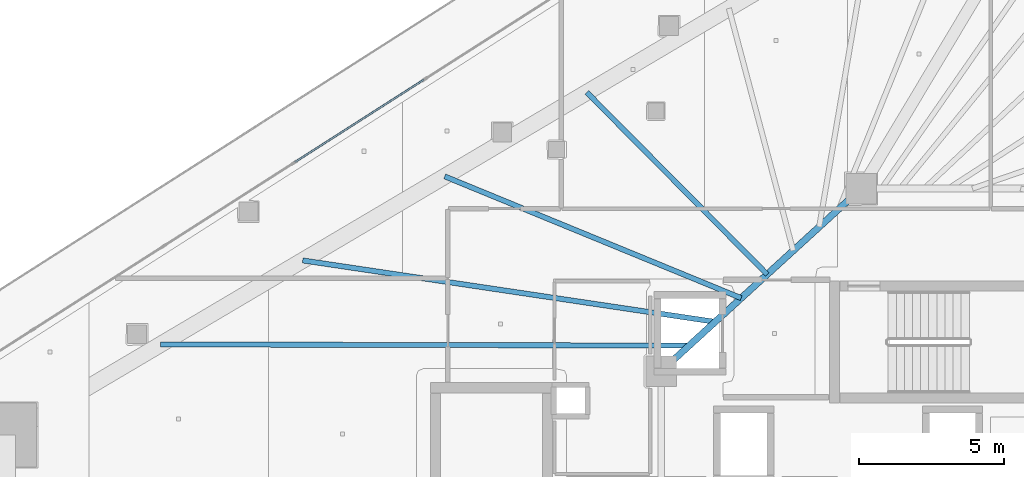
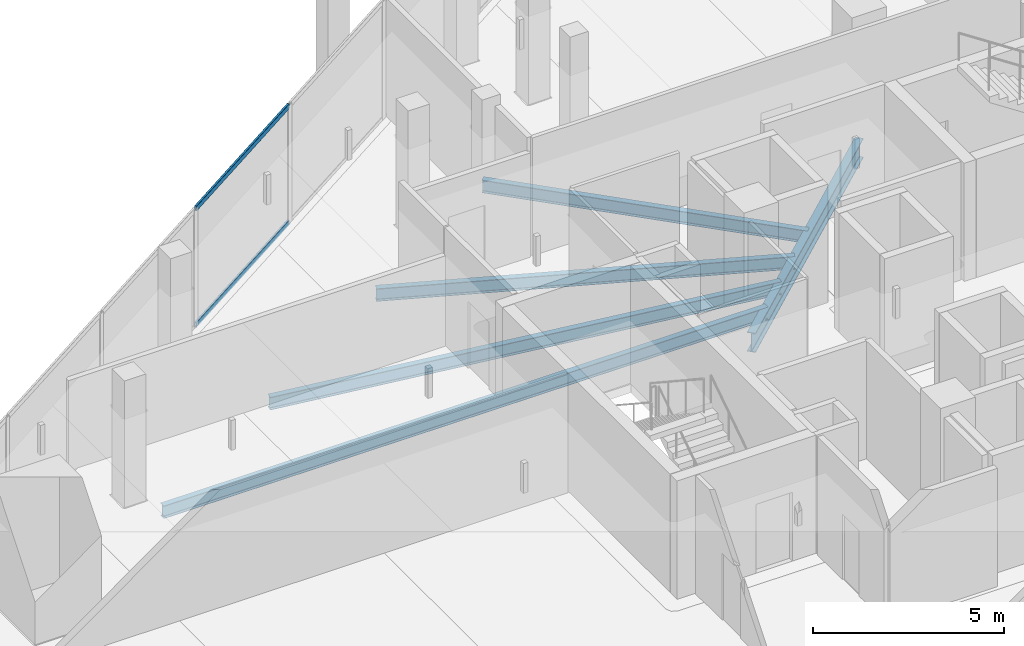
# One storey, part 15 of 39: 5 beams, 2 members, 1 element without a shape of its own.
"""IFC4 building model written with IfcOpenShell, lengths in metres."""

from ifc_helpers import new_model, si_unit, direction, frame, origin, origin_2d, place, context, subcontext, project, spatial, hollow_rectangle, i_section, extrude, material, layer, layer_set, material_profile, profile_set, type_object, element, aggregate, save


model = new_model("IFC4")

# Units and contexts
model_context = context("Model", 3, precision=1e-05, world=origin(), true_north=direction((0.0, 1.0)))
body_context = subcontext(model_context, "Body", "Model", "MODEL_VIEW")
ifc_project = project(units=[si_unit("LENGTHUNIT", "METRE"), si_unit("AREAUNIT", "SQUARE_METRE"), si_unit("VOLUMEUNIT", "CUBIC_METRE"), si_unit("PLANEANGLEUNIT", "RADIAN"), si_unit("MASSUNIT", "GRAM", prefix="KILO")], contexts=[model_context])

# Site, building, storey
site_placement = place(None, origin())
site = spatial("IfcSite", under=ifc_project, at=site_placement, CompositionType="ELEMENT")
building_placement = place(site_placement, origin())
building = spatial("IfcBuilding", under=site, at=building_placement, Name="Qorvath Tower", CompositionType="ELEMENT")
storey_placement = place(building_placement, frame((0.0, 0.0, 154.35009765625)))
storey = spatial("IfcBuildingStorey", under=building, at=storey_placement, Name="L35", CompositionType="ELEMENT", Elevation=154.35009765625)

# Beams
ifc_material_1 = material(Name="Steel ASTM A992 Grade 50", Category="steel")
ifc_material_profile_1 = material_profile(ifc_material_1, i_section(OverallWidth=0.22998046875, OverallDepth=0.616943359375, WebThickness=0.01318359375, FlangeThickness=0.022216796875, FilletRadius=0.014892578125, at=origin_2d()), Name="W24x94")
ifc_profile_set_1 = profile_set([ifc_material_profile_1], Name="Steel ASTM A992 Grade 50")
beam_type_1 = type_object("IfcBeamType", Name="BM-FG6", PredefinedType="BEAM", material=ifc_profile_set_1)
beam_1_placement = place(storey_placement, frame((-30.5, 5.14990234375, -0.57861328125), z_axis=(0.73847813985, 0.6742774184, 0.0), x_axis=(-0.6742774184, 0.73847813985, 0.0)))
element("IfcBeam", 1, at=beam_1_placement, inside=storey, type_object=beam_type_1, Name="Core Ring Girder CC5-CC1 L35", PredefinedType="BEAM", context=body_context, shape_type="SweptSolid", body=[
    extrude(i_section(OverallWidth=0.22998046875, OverallDepth=0.616943359375, WebThickness=0.01318359375, FlangeThickness=0.022216796875, FilletRadius=0.014892578125, at=origin_2d()), origin(), (0.0, 0.0, 1.0), 9.343505859375),
])
ifc_material_2 = material(Name="Steel ASTM A992 Grade 50", Category="steel")
ifc_material_profile_2 = material_profile(ifc_material_2, i_section(OverallWidth=0.177978515625, OverallDepth=0.406005859375, WebThickness=0.0078125, FlangeThickness=0.0126953125, FilletRadius=0.010986328125, at=origin_2d()), Name="W16x40")
ifc_profile_set_2 = profile_set([ifc_material_profile_2], Name="Steel ASTM A992 Grade 50")
beam_type_2 = type_object("IfcBeamType", Name="BM-FJ3", PredefinedType="JOIST", material=ifc_profile_set_2)
beam_2_placement = place(storey_placement, frame((-29.533935546875, 6.031982421875, -0.472900390625), z_axis=(-0.999997589883, 0.002195501951, 0.0), x_axis=(-0.002195501951, -0.999997589883, 0.0)))
element("IfcBeam", 2, at=beam_2_placement, inside=storey, type_object=beam_type_2, Name="Composite Floor Joist NW1 L35", PredefinedType="JOIST", context=body_context, shape_type="SweptSolid", body=[
    extrude(i_section(OverallWidth=0.177978515625, OverallDepth=0.406005859375, WebThickness=0.0078125, FlangeThickness=0.0126953125, FilletRadius=0.010986328125, at=origin_2d()), origin(), (0.0, 0.0, 1.0), 18.23681640625),
])
beam_3_placement = place(storey_placement, frame((-28.636962890625, 6.85107421875, -0.472900390625), z_axis=(-0.989092860328, 0.147293291256, 0.0), x_axis=(-0.147293291256, -0.989092860328, 0.0)))
element("IfcBeam", 3, at=beam_3_placement, inside=storey, type_object=beam_type_2, Name="Composite Floor Joist NW2 L35", PredefinedType="JOIST", context=body_context, shape_type="SweptSolid", body=[
    extrude(i_section(OverallWidth=0.177978515625, OverallDepth=0.406005859375, WebThickness=0.0078125, FlangeThickness=0.0126953125, FilletRadius=0.010986328125, at=origin_2d()), origin(), (0.0, 0.0, 1.0), 14.388916015625),
])
beam_4_placement = place(storey_placement, frame((-27.739990234375, 7.669921875, -0.472900390625), z_axis=(-0.925068176006, 0.379801092338, 0.0), x_axis=(-0.379801092338, -0.925068176006, 0.0)))
element("IfcBeam", 4, at=beam_4_placement, inside=storey, type_object=beam_type_2, Name="Composite Floor Joist NW3 L35", PredefinedType="JOIST", context=body_context, shape_type="SweptSolid", body=[
    extrude(i_section(OverallWidth=0.177978515625, OverallDepth=0.406005859375, WebThickness=0.0078125, FlangeThickness=0.0126953125, FilletRadius=0.010986328125, at=origin_2d()), origin(), (0.0, 0.0, 1.0), 11.0556640625),
])
beam_5_placement = place(storey_placement, frame((-26.843017578125, 8.489013671875, -0.472900390625), z_axis=(-0.70395121362, 0.710248328997, 0.0), x_axis=(-0.710248328997, -0.70395121362, 0.0)))
element("IfcBeam", 5, at=beam_5_placement, inside=storey, type_object=beam_type_2, Name="Composite Floor Joist NW4 L35", PredefinedType="JOIST", context=body_context, shape_type="SweptSolid", body=[
    extrude(i_section(OverallWidth=0.177978515625, OverallDepth=0.406005859375, WebThickness=0.0078125, FlangeThickness=0.0126953125, FilletRadius=0.010986328125, at=origin_2d()), origin(), (0.0, 0.0, 1.0), 8.839599609375),
])

# Curtain wall, members
ifc_material_3 = material(Name="Anodised aluminium and triple low-E glass", Category="aluminium")
ifc_layer = layer(ifc_material_3, 0.179931640625)
ifc_layer_set = layer_set([ifc_layer], Name="CW-SYS-5")
curtain_wall_type = type_object("IfcCurtainWallType", Name="CW-SYS-5", PredefinedType="NOTDEFINED", material=ifc_layer_set)
curtain_wall_placement = place(storey_placement, origin())
curtain_wall = element("IfcCurtainWall", 6, at=curtain_wall_placement, inside=storey, type_object=curtain_wall_type, Name="Curtain Wall CW-5 CW-T-L35-16.1", PredefinedType="NOTDEFINED")
ifc_material_4 = material(Name="Anodised aluminium 6063-T6", Category="aluminium")
ifc_material_profile_3 = material_profile(ifc_material_4, hollow_rectangle(XDim=0.06494140625, YDim=0.159912109375, WallThickness=0.00341796875, InnerFilletRadius=0.00341796875, OuterFilletRadius=0.007080078125, at=origin_2d()), Name="CWT 160x65")
ifc_profile_set_3 = profile_set([ifc_material_profile_3], Name="Anodised aluminium 6063-T6")
member_type = type_object("IfcMemberType", Name="CWT-160", PredefinedType="USERDEFINED", material=ifc_profile_set_3)
member_1_placement = place(storey_placement, frame((-38.689208984375, 15.2041015625, 0.032470703125), z_axis=(-0.842607560857, -0.538528085049, 0.0), x_axis=(0.538528085049, -0.842607560857, 0.0)))
member_1 = element("IfcMember", 7, at=member_1_placement, type_object=member_type, Name="CW-5 transom 6.1", ObjectType="TRANSOM", PredefinedType="USERDEFINED", context=body_context, shape_type="SweptSolid", body=[
    extrude(hollow_rectangle(XDim=0.06494140625, YDim=0.159912109375, WallThickness=0.00341796875, InnerFilletRadius=0.00341796875, OuterFilletRadius=0.007080078125, at=origin_2d()), origin(), (0.0, 0.0, 1.0), 5.2734375),
])
member_2_placement = place(storey_placement, frame((-38.689208984375, 15.2041015625, 3.747314453125), z_axis=(-0.842607560857, -0.538528085049, 0.0), x_axis=(0.538528085049, -0.842607560857, 0.0)))
member_2 = element("IfcMember", 8, at=member_2_placement, type_object=member_type, Name="CW-5 transom 6.2", ObjectType="TRANSOM", PredefinedType="USERDEFINED", context=body_context, shape_type="SweptSolid", body=[
    extrude(hollow_rectangle(XDim=0.06494140625, YDim=0.159912109375, WallThickness=0.00341796875, InnerFilletRadius=0.00341796875, OuterFilletRadius=0.007080078125, at=origin_2d()), origin(), (0.0, 0.0, 1.0), 5.2734375),
])
aggregate(curtain_wall, [member_1, member_2])

save(model, "model.ifc")
